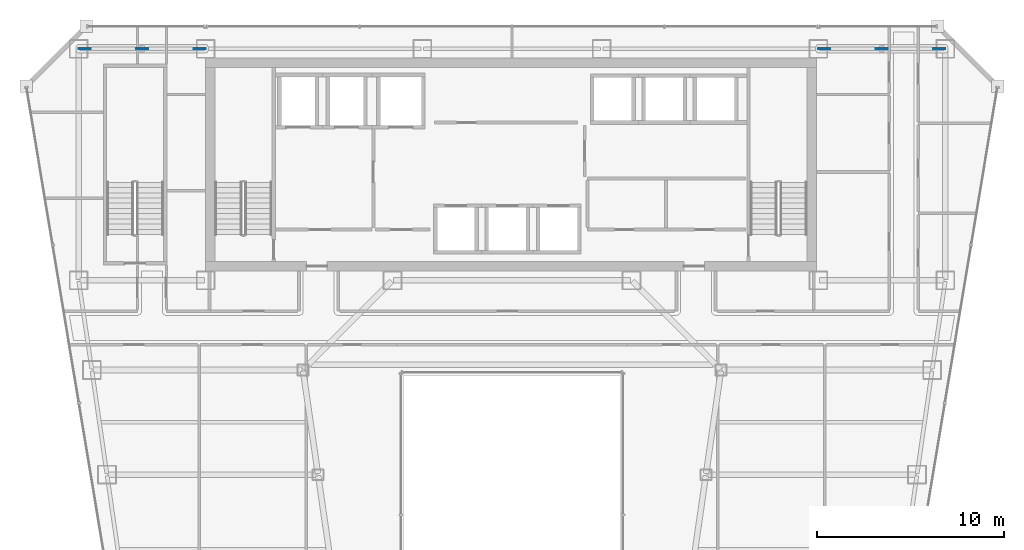
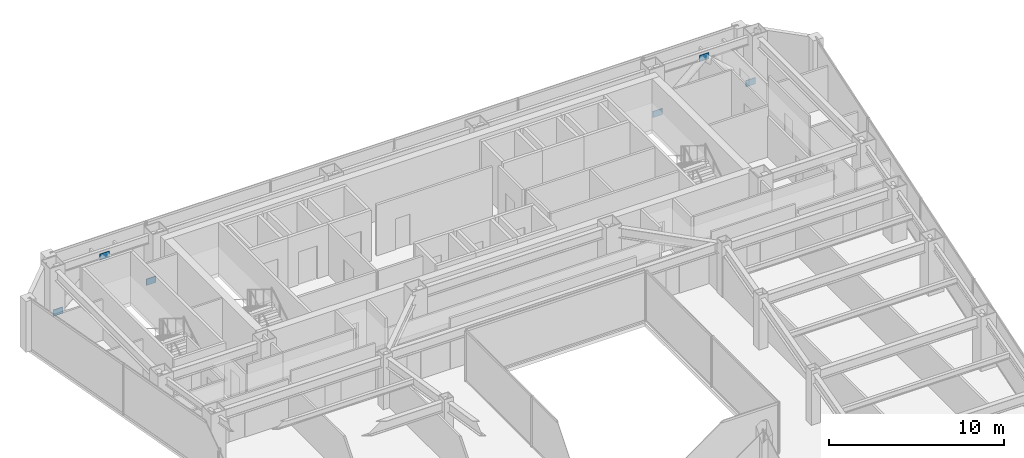
# One storey, part 32 of 40: 6 plates.
"""IFC4 building model written with IfcOpenShell, lengths in metres."""

from ifc_helpers import new_model, si_unit, direction, frame, origin, origin_2d, place, context, subcontext, project, spatial, rectangle, extrude, material, layer, layer_set, type_object, element, save


model = new_model("IFC4")

# Units and contexts
model_context = context("Model", 3, precision=1e-05, world=origin(), true_north=direction((0.0, 1.0)))
body_context = subcontext(model_context, "Body", "Model", "MODEL_VIEW")
ifc_project = project(units=[si_unit("LENGTHUNIT", "METRE"), si_unit("AREAUNIT", "SQUARE_METRE"), si_unit("VOLUMEUNIT", "CUBIC_METRE"), si_unit("PLANEANGLEUNIT", "RADIAN"), si_unit("MASSUNIT", "GRAM", prefix="KILO")], contexts=[model_context])

# Site, building, storey
site_placement = place(None, origin())
site = spatial("IfcSite", under=ifc_project, at=site_placement, CompositionType="ELEMENT")
building_placement = place(site_placement, origin())
building = spatial("IfcBuilding", under=site, at=building_placement, Name="Saevonmaru Cultural Tower", CompositionType="ELEMENT")
storey_placement = place(building_placement, frame((0.0, 0.0, 129.60009765625)))
storey = spatial("IfcBuildingStorey", under=building, at=storey_placement, Name="L27", CompositionType="ELEMENT", Elevation=129.60009765625)

# Plates
ifc_material = material(Name="Steel HSA600 (600 MPa)", Category="steel")
ifc_layer = layer(ifc_material, 0.0400390625, Name="Steel HSA600 (600 MPa)")
ifc_layer_set = layer_set([ifc_layer], Name="Steel HSA600 (600 MPa)")
plate_type = type_object("IfcPlateType", Name="PL-GUSSET-EXT", PredefinedType="USERDEFINED", material=ifc_layer_set)
for number, where, z_axis, x_axis, name in (
    (1, (10.199951171875, 54.800048828125, 2.849853515625), (0.0, 0.0, 1.0), (1.0, 0.0, 0.0), "L27 Perimeter Tube Gusset Plate"),
    (2, (7.1201171875, 54.800048828125, 0.02001953125), (0.0, 0.0, 1.0), (1.0, 0.0, 0.0), "L27 Perimeter Tube Gusset Plate"),
    (3, (13.280029296875, 54.800048828125, 0.02001953125), (0.0, 0.0, 1.0), (1.0, 0.0, 0.0), "L27 Perimeter Tube Gusset Plate"),
    (4, (49.800048828125, 54.800048828125, 2.849853515625), (0.0, 0.0, 1.0), (1.0, 0.0, 0.0), "L27 Perimeter Tube Gusset Plate"),
    (5, (46.719970703125, 54.800048828125, 0.02001953125), (0.0, 0.0, 1.0), (1.0, 0.0, 0.0), "L27 Perimeter Tube Gusset Plate"),
    (6, (52.8798828125, 54.800048828125, 0.02001953125), (0.0, 0.0, 1.0), (1.0, 0.0, 0.0), "L27 Perimeter Tube Gusset Plate"),
):
    element("IfcPlate", number, at=place(storey_placement, frame(where, z_axis=z_axis, x_axis=x_axis)), inside=storey, type_object=plate_type, Name=name, ObjectType="GUSSET_PLATE", PredefinedType="USERDEFINED", context=body_context, shape_type="SweptSolid", body=[
        extrude(rectangle(XDim=0.639892578125, YDim=0.0400390625, at=origin_2d()), origin(), (0.0, 0.0, 1.0), 0.43994140625),
    ])

save(model, "model.ifc")
